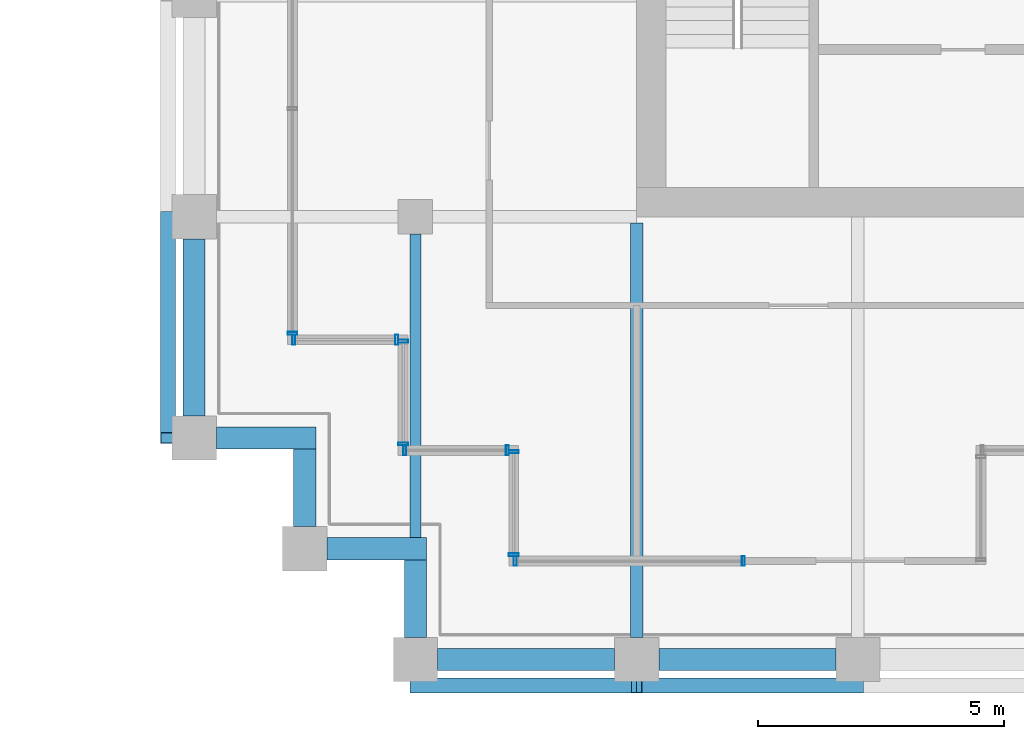
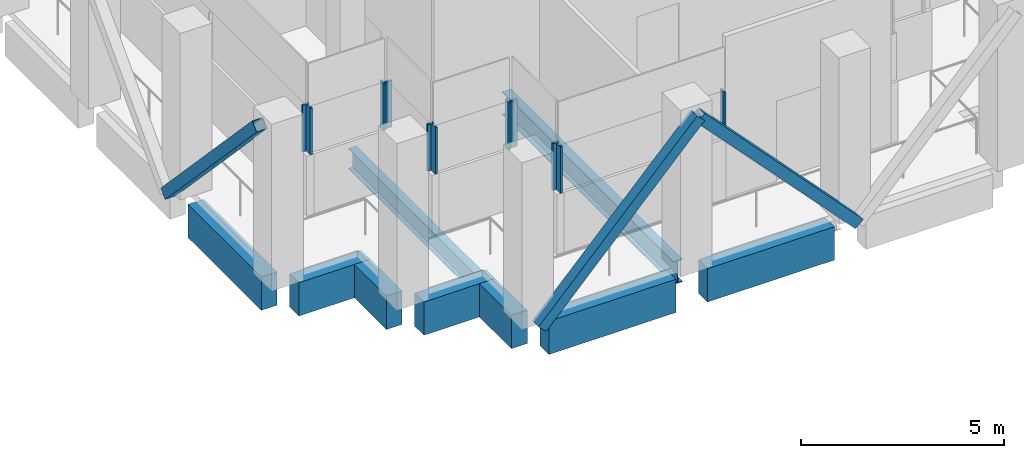
# One storey, part 21 of 34: 14 members, 9 beams, 6 elements without a shape of their own.
"""IFC4 building model written with IfcOpenShell, lengths in metres."""

from ifc_helpers import new_model, si_unit, direction, frame, origin, origin_2d, place, context, subcontext, project, spatial, rectangle, hollow_rectangle, i_section, extrude, material, material_profile, profile_set, type_object, element, aggregate, save


model = new_model("IFC4")

# Units and contexts
model_context = context("Model", 3, precision=1e-05, world=origin(), true_north=direction((0.0, 1.0)))
body_context = subcontext(model_context, "Body", "Model", "MODEL_VIEW")
ifc_project = project(units=[si_unit("LENGTHUNIT", "METRE"), si_unit("AREAUNIT", "SQUARE_METRE"), si_unit("VOLUMEUNIT", "CUBIC_METRE"), si_unit("PLANEANGLEUNIT", "RADIAN"), si_unit("MASSUNIT", "GRAM", prefix="KILO")], contexts=[model_context])

# Site, building, storey
site_placement = place(None, origin())
site = spatial("IfcSite", under=ifc_project, at=site_placement, CompositionType="ELEMENT")
building_placement = place(site_placement, origin())
building = spatial("IfcBuilding", under=site, at=building_placement, Name="Altepetl Exchange Towers", CompositionType="ELEMENT")
storey_placement = place(building_placement, frame((0.0, 0.0, 190.60009765625)))
storey = spatial("IfcBuildingStorey", under=building, at=storey_placement, Name="L48 Refuge", CompositionType="ELEMENT", Elevation=190.60009765625)

# Members
ifc_material_1 = material(Name="Steel S355", Category="steel")
ifc_material_profile_1 = material_profile(ifc_material_1, hollow_rectangle(XDim=0.304931640625, YDim=0.304931640625, WallThickness=0.01171875, at=origin_2d()), Name="HSS305X305X12.7")
ifc_profile_set_1 = profile_set([ifc_material_profile_1], Name="Steel S355")
member_type_1 = type_object("IfcMemberType", Name="Belt diagonal HSS305X305X12.7", PredefinedType="BRACE", material=ifc_profile_set_1)
for number, where, z_axis, x_axis, name in (
    (1, (99.0, 26.469970703125, 0.0), (0.687744647911, 0.0, 0.725952683906), (0.0, 1.0, 0.0), "brc:B:L48:000"),
    (2, (103.5, 26.469970703125, 4.75), (0.687744647911, 0.0, -0.725952683906), (0.0, 1.0, 0.0), "brc:B:L48:001"),
    (3, (93.969970703125, 36.0, 0.0), (0.0, -0.687744647911, 0.725952683906), (1.0, 0.0, 0.0), "brc:B:L48:006"),
):
    element("IfcMember", number, at=place(storey_placement, frame(where, z_axis=z_axis, x_axis=x_axis)), inside=storey, type_object=member_type_1, Name=name, PredefinedType="BRACE", context=body_context, shape_type="SweptSolid", body=[
        extrude(hollow_rectangle(XDim=0.304931640625, YDim=0.304931640625, WallThickness=0.01171875, at=origin_2d()), origin(), (0.0, 0.0, 1.0), 6.543212890625),
    ])

# Beams
ifc_material_profile_2 = material_profile(ifc_material_1, i_section(OverallWidth=0.22802734375, OverallDepth=0.60791015625, WebThickness=0.01123046875, FlangeThickness=0.017333984375, at=origin_2d()), Name="W24X76")
ifc_profile_set_2 = profile_set([ifc_material_profile_2], Name="Steel S355")
beam_type_1 = type_object("IfcBeamType", Name="Floor beam W24X76", PredefinedType="BEAM", material=ifc_profile_set_2)
beam_1_placement = place(storey_placement, frame((99.0, 29.47509765625, -0.504150390625), z_axis=(0.0, 1.0, 0.0), x_axis=(-1.0, 0.0, 0.0)))
element("IfcBeam", 4, at=beam_1_placement, inside=storey, type_object=beam_type_1, Name="bm:B:L48:000", PredefinedType="BEAM", context=body_context, shape_type="SweptSolid", body=[
    extrude(i_section(OverallWidth=0.22802734375, OverallDepth=0.60791015625, WebThickness=0.01123046875, FlangeThickness=0.017333984375, at=origin_2d()), origin(), (0.0, 0.0, 1.0), 6.1748046875),
])
ifc_material_profile_3 = material_profile(ifc_material_1, i_section(OverallWidth=0.25390625, OverallDepth=0.68798828125, WebThickness=0.01318359375, FlangeThickness=0.02099609375, at=origin_2d()), Name="W27X102")
ifc_profile_set_3 = profile_set([ifc_material_profile_3], Name="Steel S355")
beam_type_2 = type_object("IfcBeamType", Name="Floor beam W27X102", PredefinedType="BEAM", material=ifc_profile_set_3)
beam_2_placement = place(storey_placement, frame((103.5, 27.449951171875, -0.544189453125), z_axis=(0.0, 1.0, 0.0), x_axis=(-1.0, 0.0, 0.0)))
element("IfcBeam", 5, at=beam_2_placement, inside=storey, type_object=beam_type_2, Name="bm:B:L48:001", PredefinedType="BEAM", context=body_context, shape_type="SweptSolid", body=[
    extrude(i_section(OverallWidth=0.25390625, OverallDepth=0.68798828125, WebThickness=0.01318359375, FlangeThickness=0.02099609375, at=origin_2d()), origin(), (0.0, 0.0, 1.0), 8.422119140625),
])

# Curtain wall, members
ifc_material_2 = material(Name="Aluminium 6063-T6 glazing", Category="aluminium")
curtain_wall_type = type_object("IfcCurtainWallType", Name="Refuge slit glazing system", PredefinedType="NOTDEFINED", material=ifc_material_2)
curtain_wall_1_placement = place(storey_placement, origin())
curtain_wall_1 = element("IfcCurtainWall", 6, at=curtain_wall_1_placement, inside=storey, type_object=curtain_wall_type, Name="CW3 run", PredefinedType="NOTDEFINED")
ifc_material_3 = material(Name="Aluminium 6063-T6", Category="aluminium")
ifc_material_profile_4 = material_profile(ifc_material_3, hollow_rectangle(XDim=0.06005859375, YDim=0.199951171875, WallThickness=0.0029296875, at=origin_2d()), Name="Mullion 60x200 aluminium")
ifc_profile_set_4 = profile_set([ifc_material_profile_4], Name="Aluminium 6063-T6")
member_type_2 = type_object("IfcMemberType", Name="Mullion 60x200 aluminium", PredefinedType="MULLION", material=ifc_profile_set_4)
member_1_placement = place(storey_placement, frame((101.0, 31.219970703125, 1.7998046875), z_axis=(0.0, 0.0, 1.0), x_axis=(0.0, -1.0, 0.0)))
member_1 = element("IfcMember", 7, at=member_1_placement, type_object=member_type_2, Name="MU2 mullion", PredefinedType="MULLION", context=body_context, shape_type="SweptSolid", body=[
    extrude(hollow_rectangle(XDim=0.06005859375, YDim=0.199951171875, WallThickness=0.0029296875, at=origin_2d()), origin(), (0.0, 0.0, 1.0), 1.400146484375),
])
member_2_placement = place(storey_placement, frame((101.0, 29.1298828125, 1.7998046875), z_axis=(0.0, 0.0, 1.0), x_axis=(0.0, -1.0, 0.0)))
member_2 = element("IfcMember", 8, at=member_2_placement, type_object=member_type_2, Name="MU2 mullion", PredefinedType="MULLION", context=body_context, shape_type="SweptSolid", body=[
    extrude(hollow_rectangle(XDim=0.06005859375, YDim=0.199951171875, WallThickness=0.0029296875, at=origin_2d()), origin(), (0.0, 0.0, 1.0), 1.400146484375),
])
aggregate(curtain_wall_1, [member_1, member_2])

curtain_wall_2_placement = place(storey_placement, origin())
curtain_wall_2 = element("IfcCurtainWall", 9, at=curtain_wall_2_placement, inside=storey, type_object=curtain_wall_type, Name="CW3 run", PredefinedType="NOTDEFINED")
member_3_placement = place(storey_placement, frame((101.030029296875, 29.0, 1.7998046875)))
member_3 = element("IfcMember", 10, at=member_3_placement, type_object=member_type_2, Name="MU2 mullion", PredefinedType="MULLION", context=body_context, shape_type="SweptSolid", body=[
    extrude(hollow_rectangle(XDim=0.06005859375, YDim=0.199951171875, WallThickness=0.0029296875, at=origin_2d()), origin(), (0.0, 0.0, 1.0), 1.400146484375),
])
member_4_placement = place(storey_placement, frame((105.669921875, 29.0, 1.7998046875)))
member_4 = element("IfcMember", 11, at=member_4_placement, type_object=member_type_2, Name="MU2 mullion", PredefinedType="MULLION", context=body_context, shape_type="SweptSolid", body=[
    extrude(hollow_rectangle(XDim=0.06005859375, YDim=0.199951171875, WallThickness=0.0029296875, at=origin_2d()), origin(), (0.0, 0.0, 1.0), 1.400146484375),
])
aggregate(curtain_wall_2, [member_3, member_4])

# Curtain wall, member
curtain_wall_3_placement = place(storey_placement, origin())
curtain_wall_3 = element("IfcCurtainWall", 12, at=curtain_wall_3_placement, inside=storey, type_object=curtain_wall_type, Name="CW3 run", PredefinedType="NOTDEFINED")
member_5_placement = place(storey_placement, frame((96.5, 33.6298828125, 1.7998046875), z_axis=(0.0, 0.0, 1.0), x_axis=(0.0, -1.0, 0.0)))
member_5 = element("IfcMember", 13, at=member_5_placement, type_object=member_type_2, Name="MU2 mullion", PredefinedType="MULLION", context=body_context, shape_type="SweptSolid", body=[
    extrude(hollow_rectangle(XDim=0.06005859375, YDim=0.199951171875, WallThickness=0.0029296875, at=origin_2d()), origin(), (0.0, 0.0, 1.0), 1.400146484375),
])
aggregate(curtain_wall_3, [member_5])

# Curtain wall, members
curtain_wall_4_placement = place(storey_placement, origin())
curtain_wall_4 = element("IfcCurtainWall", 14, at=curtain_wall_4_placement, inside=storey, type_object=curtain_wall_type, Name="CW3 run", PredefinedType="NOTDEFINED")
member_6_placement = place(storey_placement, frame((96.530029296875, 33.5, 1.7998046875)))
member_6 = element("IfcMember", 15, at=member_6_placement, type_object=member_type_2, Name="MU2 mullion", PredefinedType="MULLION", context=body_context, shape_type="SweptSolid", body=[
    extrude(hollow_rectangle(XDim=0.06005859375, YDim=0.199951171875, WallThickness=0.0029296875, at=origin_2d()), origin(), (0.0, 0.0, 1.0), 1.400146484375),
])
member_7_placement = place(storey_placement, frame((98.6201171875, 33.5, 1.7998046875)))
member_7 = element("IfcMember", 16, at=member_7_placement, type_object=member_type_2, Name="MU2 mullion", PredefinedType="MULLION", context=body_context, shape_type="SweptSolid", body=[
    extrude(hollow_rectangle(XDim=0.06005859375, YDim=0.199951171875, WallThickness=0.0029296875, at=origin_2d()), origin(), (0.0, 0.0, 1.0), 1.400146484375),
])
aggregate(curtain_wall_4, [member_6, member_7])

curtain_wall_5_placement = place(storey_placement, origin())
curtain_wall_5 = element("IfcCurtainWall", 17, at=curtain_wall_5_placement, inside=storey, type_object=curtain_wall_type, Name="CW3 run", PredefinedType="NOTDEFINED")
member_8_placement = place(storey_placement, frame((98.75, 33.469970703125, 1.7998046875), z_axis=(0.0, 0.0, 1.0), x_axis=(0.0, -1.0, 0.0)))
member_8 = element("IfcMember", 18, at=member_8_placement, type_object=member_type_2, Name="MU2 mullion", PredefinedType="MULLION", context=body_context, shape_type="SweptSolid", body=[
    extrude(hollow_rectangle(XDim=0.06005859375, YDim=0.199951171875, WallThickness=0.0029296875, at=origin_2d()), origin(), (0.0, 0.0, 1.0), 1.400146484375),
])
member_9_placement = place(storey_placement, frame((98.75, 31.3798828125, 1.7998046875), z_axis=(0.0, 0.0, 1.0), x_axis=(0.0, -1.0, 0.0)))
member_9 = element("IfcMember", 19, at=member_9_placement, type_object=member_type_2, Name="MU2 mullion", PredefinedType="MULLION", context=body_context, shape_type="SweptSolid", body=[
    extrude(hollow_rectangle(XDim=0.06005859375, YDim=0.199951171875, WallThickness=0.0029296875, at=origin_2d()), origin(), (0.0, 0.0, 1.0), 1.400146484375),
])
aggregate(curtain_wall_5, [member_8, member_9])

curtain_wall_6_placement = place(storey_placement, origin())
curtain_wall_6 = element("IfcCurtainWall", 20, at=curtain_wall_6_placement, inside=storey, type_object=curtain_wall_type, Name="CW3 run", PredefinedType="NOTDEFINED")
member_10_placement = place(storey_placement, frame((98.780029296875, 31.25, 1.7998046875)))
member_10 = element("IfcMember", 21, at=member_10_placement, type_object=member_type_2, Name="MU2 mullion", PredefinedType="MULLION", context=body_context, shape_type="SweptSolid", body=[
    extrude(hollow_rectangle(XDim=0.06005859375, YDim=0.199951171875, WallThickness=0.0029296875, at=origin_2d()), origin(), (0.0, 0.0, 1.0), 1.400146484375),
])
member_11_placement = place(storey_placement, frame((100.8701171875, 31.25, 1.7998046875)))
member_11 = element("IfcMember", 22, at=member_11_placement, type_object=member_type_2, Name="MU2 mullion", PredefinedType="MULLION", context=body_context, shape_type="SweptSolid", body=[
    extrude(hollow_rectangle(XDim=0.06005859375, YDim=0.199951171875, WallThickness=0.0029296875, at=origin_2d()), origin(), (0.0, 0.0, 1.0), 1.400146484375),
])
aggregate(curtain_wall_6, [member_10, member_11])

# Beams
ifc_material_4 = material(Name="Concrete C50/60 precast with tezontle facing", Category="concrete")
ifc_material_profile_5 = material_profile(ifc_material_4, rectangle(XDim=0.449951171875, YDim=1.0, at=origin_2d()), Name="450 x 1000")
ifc_profile_set_5 = profile_set([ifc_material_profile_5], Name="Concrete C50/60 precast with tezontle facing")
beam_type_3 = type_object("IfcBeamType", Name="Spandrel beam 450x1000 tezontle", PredefinedType="SPANDREL", material=ifc_profile_set_5)
for number, where, z_axis, x_axis, name in (
    (23, (99.449951171875, 27.0, -0.7001953125), (1.0, 0.0, 0.0), (0.0, 1.0, 0.0), "sp:B:L48:000"),
    (24, (103.949951171875, 27.0, -0.7001953125), (1.0, 0.0, 0.0), (0.0, 1.0, 0.0), "sp:B:L48:001"),
    (25, (94.5, 35.550048828125, -0.7001953125), (0.0, -1.0, 0.0), (1.0, 0.0, 0.0), "sp:B:L48:019"),
):
    element("IfcBeam", number, at=place(storey_placement, frame(where, z_axis=z_axis, x_axis=x_axis)), inside=storey, type_object=beam_type_3, Name=name, PredefinedType="SPANDREL", context=body_context, shape_type="SweptSolid", body=[
        extrude(rectangle(XDim=0.449951171875, YDim=1.0, at=origin_2d()), origin(), (0.0, 0.0, 1.0), 3.60009765625),
    ])
beam_3_placement = place(storey_placement, frame((94.949951171875, 31.5, -0.7001953125), z_axis=(1.0, 0.0, 0.0), x_axis=(0.0, 1.0, 0.0)))
element("IfcBeam", 26, at=beam_3_placement, inside=storey, type_object=beam_type_3, Name="sp:B:L48:020", PredefinedType="SPANDREL", context=body_context, shape_type="SweptSolid", body=[
    extrude(rectangle(XDim=0.449951171875, YDim=1.0, at=origin_2d()), origin(), (0.0, 0.0, 1.0), 2.025146484375),
])
beam_4_placement = place(storey_placement, frame((96.75, 31.27490234375, -0.7001953125), z_axis=(0.0, -1.0, 0.0), x_axis=(1.0, 0.0, 0.0)))
element("IfcBeam", 27, at=beam_4_placement, inside=storey, type_object=beam_type_3, Name="sp:B:L48:021", PredefinedType="SPANDREL", context=body_context, shape_type="SweptSolid", body=[
    extrude(rectangle(XDim=0.449951171875, YDim=1.0, at=origin_2d()), origin(), (0.0, 0.0, 1.0), 1.574951171875),
])
beam_5_placement = place(storey_placement, frame((97.199951171875, 29.25, -0.7001953125), z_axis=(1.0, 0.0, 0.0), x_axis=(0.0, 1.0, 0.0)))
element("IfcBeam", 28, at=beam_5_placement, inside=storey, type_object=beam_type_3, Name="sp:B:L48:022", PredefinedType="SPANDREL", context=body_context, shape_type="SweptSolid", body=[
    extrude(rectangle(XDim=0.449951171875, YDim=1.0, at=origin_2d()), origin(), (0.0, 0.0, 1.0), 2.025146484375),
])
beam_6_placement = place(storey_placement, frame((99.0, 29.02490234375, -0.7001953125), z_axis=(0.0, -1.0, 0.0), x_axis=(1.0, 0.0, 0.0)))
element("IfcBeam", 29, at=beam_6_placement, inside=storey, type_object=beam_type_3, Name="sp:B:L48:023", PredefinedType="SPANDREL", context=body_context, shape_type="SweptSolid", body=[
    extrude(rectangle(XDim=0.449951171875, YDim=1.0, at=origin_2d()), origin(), (0.0, 0.0, 1.0), 1.574951171875),
])

save(model, "model.ifc")
